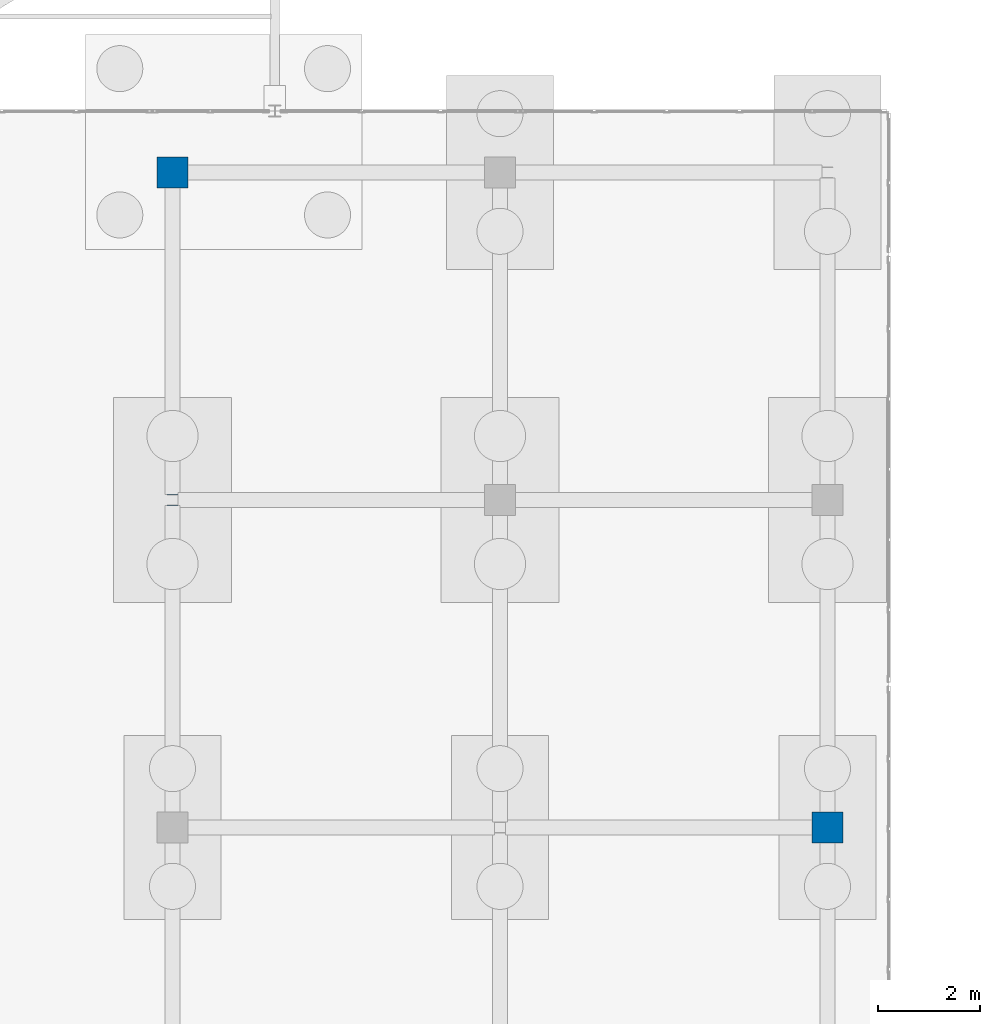
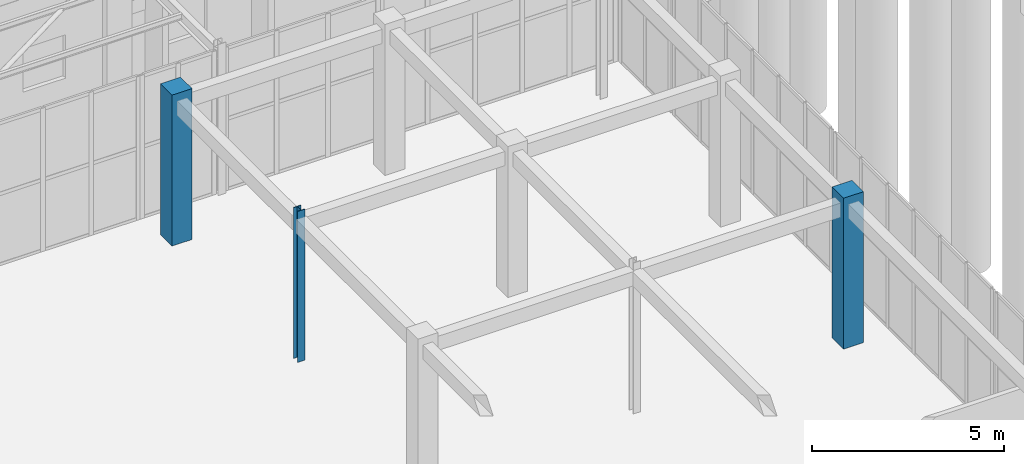
# One storey, part 37 of 192: 3 columns.
"""IFC4 building model written with IfcOpenShell, lengths in metres."""

from ifc_helpers import new_model, si_unit, direction, frame, origin, origin_2d, place, context, subcontext, project, spatial, rectangle, i_section, extrude, material, material_profile, profile_set, type_object, element, save


model = new_model("IFC4")

# Units and contexts
model_context = context("Model", 3, precision=1e-05, world=origin(), true_north=direction((0.0, 1.0)))
body_context = subcontext(model_context, "Body", "Model", "MODEL_VIEW")
ifc_project = project(units=[si_unit("LENGTHUNIT", "METRE"), si_unit("AREAUNIT", "SQUARE_METRE"), si_unit("VOLUMEUNIT", "CUBIC_METRE"), si_unit("PLANEANGLEUNIT", "RADIAN"), si_unit("MASSUNIT", "GRAM", prefix="KILO")], contexts=[model_context])

# Site, building, storey
site_placement = place(None, origin())
site = spatial("IfcSite", under=ifc_project, at=site_placement, CompositionType="ELEMENT")
building_placement = place(site_placement, origin())
building = spatial("IfcBuilding", under=site, at=building_placement, Name="Trelvath General Hospital", CompositionType="ELEMENT")
storey_placement = place(building_placement, origin())
storey = spatial("IfcBuildingStorey", under=building, at=storey_placement, Name="L00", CompositionType="ELEMENT", Elevation=0.0)

# Columns
ifc_material_1 = material(Name="Concrete C40/50", Category="concrete")
ifc_material_profile_1 = material_profile(ifc_material_1, rectangle(XDim=0.60009765625, YDim=0.60009765625, at=origin_2d()), Name="RC600x600")
ifc_profile_set_1 = profile_set([ifc_material_profile_1], Name="Concrete C40/50")
column_type_1 = type_object("IfcColumnType", Name="Column RC600", PredefinedType="COLUMN", material=ifc_profile_set_1)
for number, where, z_axis, x_axis, name in (
    (1, (107.199951171875, 85.60009765625, 0.0), (0.0, 0.0, 1.0), (1.0, 0.0, 0.0), "Cube Interior Column CC-E07 L00"),
    (2, (120.0, 72.800048828125, 0.0), (0.0, 0.0, 1.0), (1.0, 0.0, 0.0), "Cube Interior Column CC-E19 L00"),
):
    element("IfcColumn", number, at=place(storey_placement, frame(where, z_axis=z_axis, x_axis=x_axis)), inside=storey, type_object=column_type_1, Name=name, PredefinedType="COLUMN", context=body_context, shape_type="SweptSolid", body=[
        extrude(rectangle(XDim=0.60009765625, YDim=0.60009765625, at=origin_2d()), origin(), (0.0, 0.0, 1.0), 4.800048828125),
    ])
ifc_material_2 = material(Name="Steel S355", Category="steel")
ifc_material_profile_2 = material_profile(ifc_material_2, i_section(OverallWidth=0.219970703125, OverallDepth=0.219970703125, WebThickness=0.009521484375, FlangeThickness=0.01611328125, at=origin_2d()), Name="HEB220")
ifc_profile_set_2 = profile_set([ifc_material_profile_2], Name="Steel S355")
column_type_2 = type_object("IfcColumnType", Name="CubePost HEB220", PredefinedType="COLUMN", material=ifc_profile_set_2)
column_placement = place(storey_placement, frame((107.199951171875, 79.199951171875, 0.0), z_axis=(0.0, 0.0, 1.0), x_axis=(1.0, 0.0, 0.0)))
element("IfcColumn", 3, at=column_placement, inside=storey, type_object=column_type_2, Name="Cube Interior Column CC-E06 L00", PredefinedType="COLUMN", context=body_context, shape_type="SweptSolid", body=[
    extrude(i_section(OverallWidth=0.219970703125, OverallDepth=0.219970703125, WebThickness=0.009521484375, FlangeThickness=0.01611328125, at=origin_2d()), origin(), (0.0, 0.0, 1.0), 4.800048828125),
])

save(model, "model.ifc")
